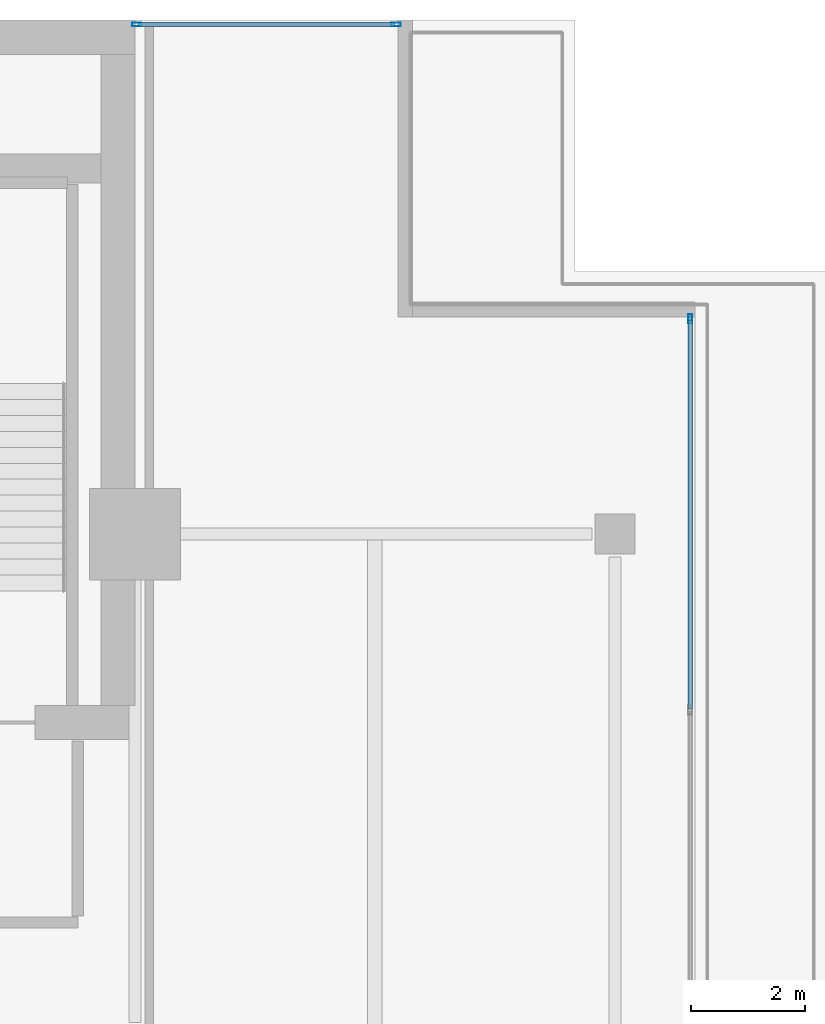
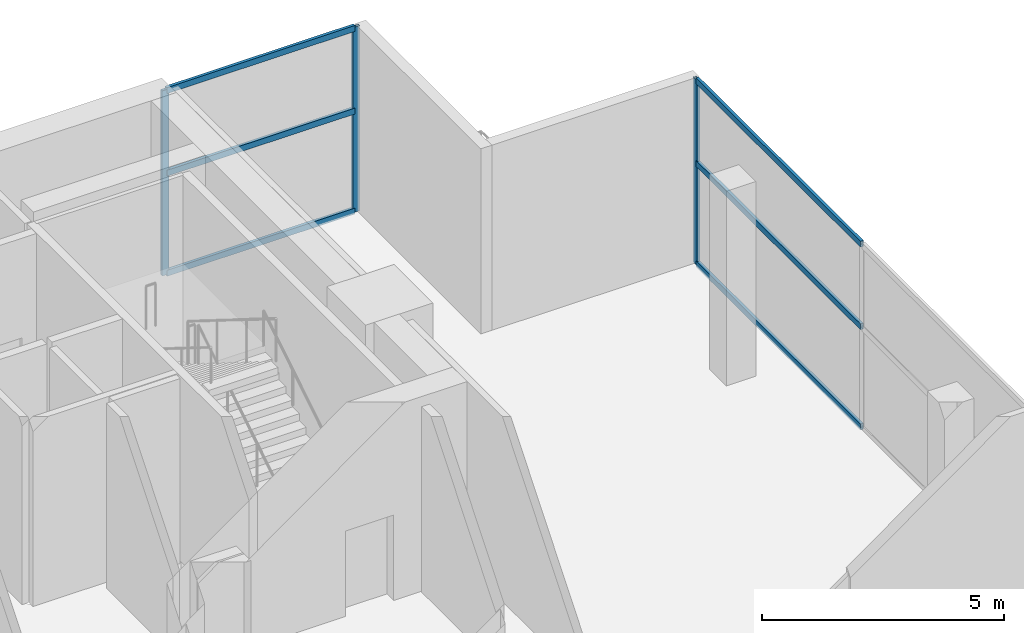
# One storey, part 20 of 28: 9 members, 2 elements without a shape of their own.
"""IFC4 building model written with IfcOpenShell, lengths in metres."""

from ifc_helpers import new_model, si_unit, direction, frame, origin, origin_2d, place, context, subcontext, project, spatial, hollow_rectangle, extrude, material, layer, layer_set, material_profile, profile_set, type_object, element, aggregate, save


model = new_model("IFC4")

# Units and contexts
model_context = context("Model", 3, precision=1e-05, world=origin(), true_north=direction((0.0, 1.0)))
body_context = subcontext(model_context, "Body", "Model", "MODEL_VIEW")
ifc_project = project(units=[si_unit("LENGTHUNIT", "METRE"), si_unit("AREAUNIT", "SQUARE_METRE"), si_unit("VOLUMEUNIT", "CUBIC_METRE"), si_unit("PLANEANGLEUNIT", "RADIAN"), si_unit("MASSUNIT", "GRAM", prefix="KILO")], contexts=[model_context])

# Site, building, storey
site_placement = place(None, origin())
site = spatial("IfcSite", under=ifc_project, at=site_placement, CompositionType="ELEMENT")
building_placement = place(site_placement, origin())
building = spatial("IfcBuilding", under=site, at=building_placement, Name="Maruvema Waterfront Hotel and Observation Tower", CompositionType="ELEMENT")
storey_placement = place(building_placement, frame((0.0, 0.0, 234.5)))
storey = spatial("IfcBuildingStorey", under=building, at=storey_placement, Name="L57", CompositionType="ELEMENT", Elevation=234.5)

# Curtain wall, members
ifc_material_1 = material(Name="Anodised bronze aluminium and solar-control low-E IGU", Category="aluminium")
ifc_layer = layer(ifc_material_1, 0.159912109375, Name="Zone 3 Champagne Inner Thermal Curtain Wall System CW-04")
ifc_layer_set = layer_set([ifc_layer], Name="Anodised bronze aluminium and solar-control low-E IGU")
curtain_wall_type = type_object("IfcCurtainWallType", Name="Zone 3 Champagne Inner Thermal Curtain Wall System CW-04", PredefinedType="USERDEFINED", material=ifc_layer_set)
curtain_wall_1_placement = place(storey_placement, origin())
curtain_wall_1 = element("IfcCurtainWall", 1, at=curtain_wall_1_placement, inside=storey, type_object=curtain_wall_type, Name="L57 Curtain Wall CW-L57-E", ObjectType="UNITISED CURTAIN WALL", PredefinedType="USERDEFINED")
ifc_material_2 = material(Name="Anodised architectural bronze aluminium", Category="aluminium")
ifc_material_profile_1 = material_profile(ifc_material_2, hollow_rectangle(XDim=0.070068359375, YDim=0.14990234375, WallThickness=0.00390625, at=origin_2d()), Name="ALU-T70x150")
ifc_profile_set_1 = profile_set([ifc_material_profile_1], Name="Anodised architectural bronze aluminium")
member_type_1 = type_object("IfcMemberType", Name="Curtain Wall Horizontal Transom ALU-T70x150", PredefinedType="USERDEFINED", material=ifc_profile_set_1)
member_1_placement = place(storey_placement, frame((60.1201171875, 41.949951171875, 0.030029296875), z_axis=(0.0, 1.0, 0.0), x_axis=(-1.0, 0.0, 0.0)))
member_1 = element("IfcMember", 2, at=member_1_placement, type_object=member_type_1, Name="CW-04 transom 5.1", ObjectType="TRANSOM", PredefinedType="USERDEFINED", context=body_context, shape_type="SweptSolid", body=[
    extrude(hollow_rectangle(XDim=0.070068359375, YDim=0.14990234375, WallThickness=0.00390625, at=origin_2d()), origin(), (0.0, 0.0, 1.0), 6.7900390625),
])
member_2_placement = place(storey_placement, frame((60.1201171875, 41.949951171875, 2.550048828125), z_axis=(0.0, 1.0, 0.0), x_axis=(-1.0, 0.0, 0.0)))
member_2 = element("IfcMember", 3, at=member_2_placement, type_object=member_type_1, Name="CW-04 transom 5.2", ObjectType="TRANSOM", PredefinedType="USERDEFINED", context=body_context, shape_type="SweptSolid", body=[
    extrude(hollow_rectangle(XDim=0.070068359375, YDim=0.14990234375, WallThickness=0.00390625, at=origin_2d()), origin(), (0.0, 0.0, 1.0), 6.7900390625),
])
member_3_placement = place(storey_placement, frame((60.1201171875, 41.949951171875, 4.6298828125), z_axis=(0.0, 1.0, 0.0), x_axis=(-1.0, 0.0, 0.0)))
member_3 = element("IfcMember", 4, at=member_3_placement, type_object=member_type_1, Name="CW-04 transom 5.3", ObjectType="TRANSOM", PredefinedType="USERDEFINED", context=body_context, shape_type="SweptSolid", body=[
    extrude(hollow_rectangle(XDim=0.070068359375, YDim=0.14990234375, WallThickness=0.00390625, at=origin_2d()), origin(), (0.0, 0.0, 1.0), 6.7900390625),
])

curtain_wall_2_placement = place(storey_placement, origin())
curtain_wall_2 = element("IfcCurtainWall", 5, at=curtain_wall_2_placement, inside=storey, type_object=curtain_wall_type, Name="L57 Curtain Wall CW-L57-NE", ObjectType="UNITISED CURTAIN WALL", PredefinedType="USERDEFINED")
member_4_placement = place(storey_placement, frame((54.93994140625, 53.919921875, 0.030029296875), z_axis=(-1.0, 0.0, 0.0), x_axis=(0.0, -1.0, 0.0)))
member_4 = element("IfcMember", 6, at=member_4_placement, type_object=member_type_1, Name="CW-04 transom 1.1", ObjectType="TRANSOM", PredefinedType="USERDEFINED", context=body_context, shape_type="SweptSolid", body=[
    extrude(hollow_rectangle(XDim=0.070068359375, YDim=0.14990234375, WallThickness=0.00390625, at=origin_2d()), origin(), (0.0, 0.0, 1.0), 4.47998046875),
])
member_5_placement = place(storey_placement, frame((54.93994140625, 53.919921875, 2.550048828125), z_axis=(-1.0, 0.0, 0.0), x_axis=(0.0, -1.0, 0.0)))
member_5 = element("IfcMember", 7, at=member_5_placement, type_object=member_type_1, Name="CW-04 transom 1.2", ObjectType="TRANSOM", PredefinedType="USERDEFINED", context=body_context, shape_type="SweptSolid", body=[
    extrude(hollow_rectangle(XDim=0.070068359375, YDim=0.14990234375, WallThickness=0.00390625, at=origin_2d()), origin(), (0.0, 0.0, 1.0), 4.47998046875),
])
member_6_placement = place(storey_placement, frame((54.93994140625, 53.919921875, 4.6298828125), z_axis=(-1.0, 0.0, 0.0), x_axis=(0.0, -1.0, 0.0)))
member_6 = element("IfcMember", 8, at=member_6_placement, type_object=member_type_1, Name="CW-04 transom 1.3", ObjectType="TRANSOM", PredefinedType="USERDEFINED", context=body_context, shape_type="SweptSolid", body=[
    extrude(hollow_rectangle(XDim=0.070068359375, YDim=0.14990234375, WallThickness=0.00390625, at=origin_2d()), origin(), (0.0, 0.0, 1.0), 4.47998046875),
])

# Member
ifc_material_3 = material(Name="Anodised architectural bronze aluminium", Category="aluminium")
ifc_material_profile_2 = material_profile(ifc_material_3, hollow_rectangle(XDim=0.06494140625, YDim=0.1650390625, WallThickness=0.00390625, at=origin_2d()), Name="ALU-M65x165")
ifc_profile_set_2 = profile_set([ifc_material_profile_2], Name="Anodised architectural bronze aluminium")
member_type_2 = type_object("IfcMemberType", Name="Curtain Wall Primary Mullion ALU-M65x165", PredefinedType="MULLION", material=ifc_profile_set_2)
member_7_placement = place(storey_placement, frame((60.1201171875, 48.77001953125, 0.0), z_axis=(0.0, 0.0, 1.0), x_axis=(-1.0, 0.0, 0.0)))
member_7 = element("IfcMember", 9, at=member_7_placement, type_object=member_type_2, Name="CW-04 mullion 6", PredefinedType="MULLION", context=body_context, shape_type="SweptSolid", body=[
    extrude(hollow_rectangle(XDim=0.06494140625, YDim=0.1650390625, WallThickness=0.00390625, at=origin_2d()), origin(), (0.0, 0.0, 1.0), 4.659912109375),
])

aggregate(curtain_wall_1, [member_7, member_1, member_2, member_3])

member_8_placement = place(storey_placement, frame((54.969970703125, 53.919921875, 0.0), z_axis=(0.0, 0.0, 1.0), x_axis=(0.0, -1.0, 0.0)))
member_8 = element("IfcMember", 10, at=member_8_placement, type_object=member_type_2, Name="CW-04 mullion 1", PredefinedType="MULLION", context=body_context, shape_type="SweptSolid", body=[
    extrude(hollow_rectangle(XDim=0.06494140625, YDim=0.1650390625, WallThickness=0.00390625, at=origin_2d()), origin(), (0.0, 0.0, 1.0), 4.659912109375),
])

member_9_placement = place(storey_placement, frame((50.429931640625, 53.919921875, 0.0), z_axis=(0.0, 0.0, 1.0), x_axis=(0.0, -1.0, 0.0)))
member_9 = element("IfcMember", 11, at=member_9_placement, type_object=member_type_2, Name="CW-04 mullion 2", PredefinedType="MULLION", context=body_context, shape_type="SweptSolid", body=[
    extrude(hollow_rectangle(XDim=0.06494140625, YDim=0.1650390625, WallThickness=0.00390625, at=origin_2d()), origin(), (0.0, 0.0, 1.0), 4.659912109375),
])

aggregate(curtain_wall_2, [member_8, member_9, member_4, member_5, member_6])

save(model, "model.ifc")
